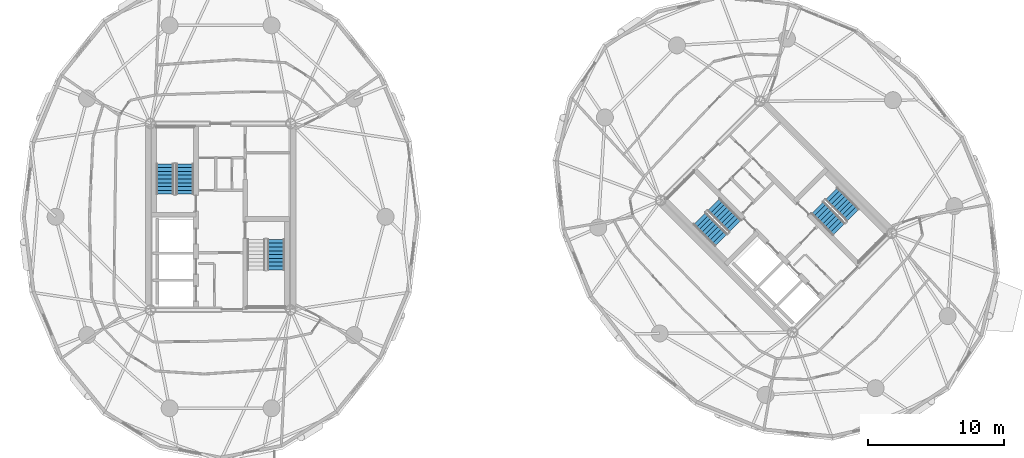
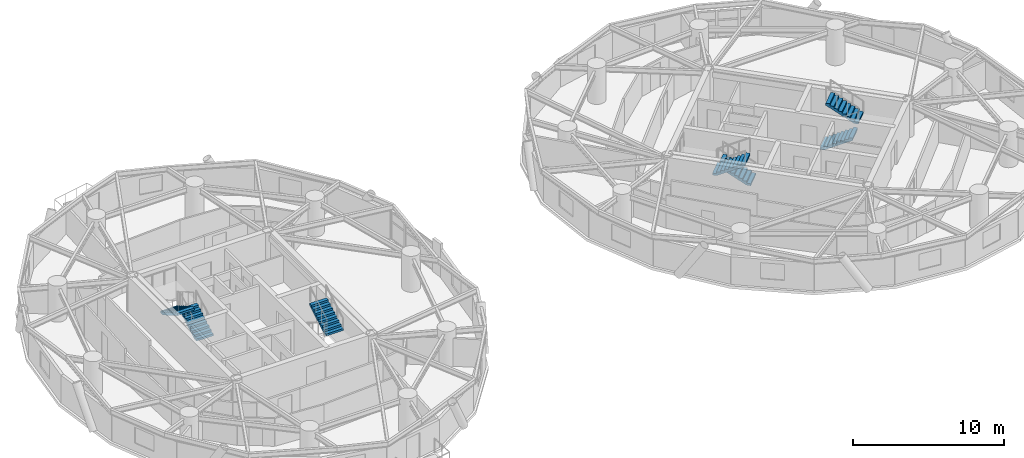
# One storey, part 14 of 17: 7 stair flights, 4 elements without a shape of their own.
"""IFC4 building model written with IfcOpenShell, lengths in metres."""

from ifc_helpers import new_model, si_unit, direction, frame, origin, place, context, subcontext, project, spatial, polyline, outline, extrude, material, type_object, element, aggregate, save


model = new_model("IFC4")

# Units and contexts
model_context = context("Model", 3, precision=1e-05, world=origin(), true_north=direction((0.0, 1.0)))
body_context = subcontext(model_context, "Body", "Model", "MODEL_VIEW")
ifc_project = project(units=[si_unit("LENGTHUNIT", "METRE"), si_unit("AREAUNIT", "SQUARE_METRE"), si_unit("VOLUMEUNIT", "CUBIC_METRE"), si_unit("PLANEANGLEUNIT", "RADIAN"), si_unit("MASSUNIT", "GRAM", prefix="KILO")], contexts=[model_context])

# Site, building, storey
site_placement = place(None, origin())
site = spatial("IfcSite", under=ifc_project, at=site_placement, CompositionType="ELEMENT")
building_placement = place(site_placement, origin())
building = spatial("IfcBuilding", under=site, at=building_placement, Name="Cununo Teusaquillo Station Towers", CompositionType="ELEMENT")
storey_placement = place(building_placement, frame((0.0, 0.0, 163.239990234375)))
storey = spatial("IfcBuildingStorey", under=building, at=storey_placement, Name="L51", CompositionType="ELEMENT", Elevation=163.239990234375)

# Stair, stair flights
ifc_material_1 = material(Name="Concrete C50/60", Category="concrete")
stair_type = type_object("IfcStairType", Name="ST-TWR-1300", PredefinedType="HALF_TURN_STAIR", material=ifc_material_1)
stair_1_placement = place(storey_placement, origin())
stair_1 = element("IfcStair", 1, at=stair_1_placement, inside=storey, type_object=stair_type, Name="L51 Tower A Protected Core Exit Stair 1", PredefinedType="HALF_TURN_STAIR")
ifc_material_2 = material(Name="Concrete C50/60", Category="concrete")
stair_flight_type = type_object("IfcStairFlightType", Name="SFL-TWR-1300", PredefinedType="STRAIGHT", material=ifc_material_2)
stair_flight_1_placement = place(storey_placement, frame((13.8701171875, 26.169921875, 0.0), z_axis=(0.0, 0.0, 1.0), x_axis=(0.0, 1.0, 0.0)))
stair_flight_1 = element("IfcStairFlight", 2, at=stair_flight_1_placement, type_object=stair_flight_type, Name="ST-T1-1 flight 1", NumberOfRisers=9, NumberOfTreads=8, PredefinedType="STRAIGHT", RiserHeight=0.161666667, TreadLength=0.28, context=body_context, shape_type="SweptSolid", body=[
    extrude(outline(polyline([(0.0, 0.0), (0.0, 0.16162109375), (0.280029296875, 0.16162109375), (0.280029296875, 0.3232421875), (0.56005859375, 0.3232421875), (0.56005859375, 0.485107421875), (0.840087890625, 0.485107421875), (0.840087890625, 0.646728515625), (1.1201171875, 0.646728515625), (1.1201171875, 0.808349609375), (1.39990234375, 0.808349609375), (1.39990234375, 0.969970703125), (1.679931640625, 0.969970703125), (1.679931640625, 1.131591796875), (1.9599609375, 1.131591796875), (1.9599609375, 1.293212890625), (2.239990234375, 1.293212890625), (2.239990234375, 1.455078125), (2.239990234375, 1.1201171875), (0.2998046875, 0.0), (0.0, 0.0)])), frame((0.0, 0.64990234375, 0.0), z_axis=(0.0, -1.0, 0.0), x_axis=(1.0, 0.0, 0.0)), (0.0, 0.0, 1.0), 1.300048828125),
])
stair_flight_2_placement = place(storey_placement, frame((12.409912109375, 28.409912109375, 1.455078125), z_axis=(0.0, 0.0, 1.0), x_axis=(0.0, -1.0, 0.0)))
stair_flight_2 = element("IfcStairFlight", 3, at=stair_flight_2_placement, type_object=stair_flight_type, Name="ST-T1-1 flight 2", NumberOfRisers=9, NumberOfTreads=8, PredefinedType="STRAIGHT", RiserHeight=0.161666667, TreadLength=0.28, context=body_context, shape_type="SweptSolid", body=[
    extrude(outline(polyline([(0.0, 0.0), (0.0, 0.16162109375), (0.280029296875, 0.16162109375), (0.280029296875, 0.3232421875), (0.56005859375, 0.3232421875), (0.56005859375, 0.485107421875), (0.840087890625, 0.485107421875), (0.840087890625, 0.646728515625), (1.1201171875, 0.646728515625), (1.1201171875, 0.808349609375), (1.39990234375, 0.808349609375), (1.39990234375, 0.969970703125), (1.679931640625, 0.969970703125), (1.679931640625, 1.131591796875), (1.9599609375, 1.131591796875), (1.9599609375, 1.293212890625), (2.239990234375, 1.293212890625), (2.239990234375, 1.455078125), (2.239990234375, 1.1201171875), (0.2998046875, 0.0), (0.0, 0.0)])), frame((0.0, 0.64990234375, 0.0), z_axis=(0.0, -1.0, 0.0), x_axis=(1.0, 0.0, 0.0)), (0.0, 0.0, 1.0), 1.300048828125),
])
aggregate(stair_1, [stair_flight_1, stair_flight_2])

# Stair, stair flight
stair_2_placement = place(storey_placement, origin())
stair_2 = element("IfcStair", 4, at=stair_2_placement, inside=storey, type_object=stair_type, Name="L51 Tower A Protected Core Exit Stair 2", PredefinedType="HALF_TURN_STAIR")
stair_flight_3_placement = place(storey_placement, frame((20.590087890625, 20.590087890625, 1.455078125), z_axis=(0.0, 0.0, 1.0), x_axis=(0.0, 1.0, 0.0)))
stair_flight_3 = element("IfcStairFlight", 5, at=stair_flight_3_placement, type_object=stair_flight_type, Name="ST-T1-2 flight 2", NumberOfRisers=9, NumberOfTreads=8, PredefinedType="STRAIGHT", RiserHeight=0.161666667, TreadLength=0.28, context=body_context, shape_type="SweptSolid", body=[
    extrude(outline(polyline([(0.0, 0.0), (0.0, 0.16162109375), (0.280029296875, 0.16162109375), (0.280029296875, 0.3232421875), (0.56005859375, 0.3232421875), (0.56005859375, 0.485107421875), (0.840087890625, 0.485107421875), (0.840087890625, 0.646728515625), (1.1201171875, 0.646728515625), (1.1201171875, 0.808349609375), (1.39990234375, 0.808349609375), (1.39990234375, 0.969970703125), (1.679931640625, 0.969970703125), (1.679931640625, 1.131591796875), (1.9599609375, 1.131591796875), (1.9599609375, 1.293212890625), (2.239990234375, 1.293212890625), (2.239990234375, 1.455078125), (2.239990234375, 1.1201171875), (0.2998046875, 0.0), (0.0, 0.0)])), frame((0.0, 0.64990234375, 0.0), z_axis=(0.0, -1.0, 0.0), x_axis=(1.0, 0.0, 0.0)), (0.0, 0.0, 1.0), 1.300048828125),
])
aggregate(stair_2, [stair_flight_3])

# Stair, stair flights
stair_3_placement = place(storey_placement, origin())
stair_3 = element("IfcStair", 6, at=stair_3_placement, inside=storey, type_object=stair_type, Name="L51 Tower B Protected Core Exit Stair 1", PredefinedType="HALF_TURN_STAIR")
stair_flight_4_placement = place(storey_placement, frame((54.45947265625, 23.8212890625, 0.0), z_axis=(0.0, 0.0, 1.0), x_axis=(-0.707106781187, 0.707106781187, 0.0)))
stair_flight_4 = element("IfcStairFlight", 7, at=stair_flight_4_placement, type_object=stair_flight_type, Name="ST-T2-1 flight 1", NumberOfRisers=9, NumberOfTreads=8, PredefinedType="STRAIGHT", RiserHeight=0.161666667, TreadLength=0.28, context=body_context, shape_type="SweptSolid", body=[
    extrude(outline(polyline([(0.0, 0.0), (0.0, 0.16162109375), (0.280029296875, 0.16162109375), (0.280029296875, 0.3232421875), (0.56005859375, 0.3232421875), (0.56005859375, 0.485107421875), (0.840087890625, 0.485107421875), (0.840087890625, 0.646728515625), (1.1201171875, 0.646728515625), (1.1201171875, 0.808349609375), (1.39990234375, 0.808349609375), (1.39990234375, 0.969970703125), (1.679931640625, 0.969970703125), (1.679931640625, 1.131591796875), (1.9599609375, 1.131591796875), (1.9599609375, 1.293212890625), (2.239990234375, 1.293212890625), (2.239990234375, 1.455078125), (2.239990234375, 1.1201171875), (0.2998046875, 0.0), (0.0, 0.0)])), frame((0.0, 0.64990234375, 0.0), z_axis=(0.0, -1.0, 0.0), x_axis=(1.0, 0.0, 0.0)), (0.0, 0.0, 1.0), 1.300048828125),
])
stair_flight_5_placement = place(storey_placement, frame((51.84326171875, 24.372802734375, 1.455078125), z_axis=(0.0, 0.0, 1.0), x_axis=(0.707106781187, -0.707106781187, 0.0)))
stair_flight_5 = element("IfcStairFlight", 8, at=stair_flight_5_placement, type_object=stair_flight_type, Name="ST-T2-1 flight 2", NumberOfRisers=9, NumberOfTreads=8, PredefinedType="STRAIGHT", RiserHeight=0.161666667, TreadLength=0.28, context=body_context, shape_type="SweptSolid", body=[
    extrude(outline(polyline([(0.0, 0.0), (0.0, 0.16162109375), (0.280029296875, 0.16162109375), (0.280029296875, 0.3232421875), (0.56005859375, 0.3232421875), (0.56005859375, 0.485107421875), (0.840087890625, 0.485107421875), (0.840087890625, 0.646728515625), (1.1201171875, 0.646728515625), (1.1201171875, 0.808349609375), (1.39990234375, 0.808349609375), (1.39990234375, 0.969970703125), (1.679931640625, 0.969970703125), (1.679931640625, 1.131591796875), (1.9599609375, 1.131591796875), (1.9599609375, 1.293212890625), (2.239990234375, 1.293212890625), (2.239990234375, 1.455078125), (2.239990234375, 1.1201171875), (0.2998046875, 0.0), (0.0, 0.0)])), frame((0.0, 0.64990234375, 0.0), z_axis=(0.0, -1.0, 0.0), x_axis=(1.0, 0.0, 0.0)), (0.0, 0.0, 1.0), 1.300048828125),
])
aggregate(stair_3, [stair_flight_4, stair_flight_5])

stair_4_placement = place(storey_placement, origin())
stair_4 = element("IfcStair", 9, at=stair_4_placement, inside=storey, type_object=stair_type, Name="L51 Tower B Protected Core Exit Stair 2", PredefinedType="HALF_TURN_STAIR")
stair_flight_6_placement = place(storey_placement, frame((60.54052734375, 25.1787109375, 0.0), z_axis=(0.0, 0.0, 1.0), x_axis=(0.707106781187, -0.707106781187, 0.0)))
stair_flight_6 = element("IfcStairFlight", 10, at=stair_flight_6_placement, type_object=stair_flight_type, Name="ST-T2-2 flight 1", NumberOfRisers=9, NumberOfTreads=8, PredefinedType="STRAIGHT", RiserHeight=0.161666667, TreadLength=0.28, context=body_context, shape_type="SweptSolid", body=[
    extrude(outline(polyline([(0.0, 0.0), (0.0, 0.16162109375), (0.280029296875, 0.16162109375), (0.280029296875, 0.3232421875), (0.56005859375, 0.3232421875), (0.56005859375, 0.485107421875), (0.840087890625, 0.485107421875), (0.840087890625, 0.646728515625), (1.1201171875, 0.646728515625), (1.1201171875, 0.808349609375), (1.39990234375, 0.808349609375), (1.39990234375, 0.969970703125), (1.679931640625, 0.969970703125), (1.679931640625, 1.131591796875), (1.9599609375, 1.131591796875), (1.9599609375, 1.293212890625), (2.239990234375, 1.293212890625), (2.239990234375, 1.455078125), (2.239990234375, 1.1201171875), (0.2998046875, 0.0), (0.0, 0.0)])), frame((0.0, 0.64990234375, 0.0), z_axis=(0.0, -1.0, 0.0), x_axis=(1.0, 0.0, 0.0)), (0.0, 0.0, 1.0), 1.300048828125),
])
stair_flight_7_placement = place(storey_placement, frame((63.15673828125, 24.627197265625, 1.455078125), z_axis=(0.0, 0.0, 1.0), x_axis=(-0.707106781187, 0.707106781187, 0.0)))
stair_flight_7 = element("IfcStairFlight", 11, at=stair_flight_7_placement, type_object=stair_flight_type, Name="ST-T2-2 flight 2", NumberOfRisers=9, NumberOfTreads=8, PredefinedType="STRAIGHT", RiserHeight=0.161666667, TreadLength=0.28, context=body_context, shape_type="SweptSolid", body=[
    extrude(outline(polyline([(0.0, 0.0), (0.0, 0.16162109375), (0.280029296875, 0.16162109375), (0.280029296875, 0.3232421875), (0.56005859375, 0.3232421875), (0.56005859375, 0.485107421875), (0.840087890625, 0.485107421875), (0.840087890625, 0.646728515625), (1.1201171875, 0.646728515625), (1.1201171875, 0.808349609375), (1.39990234375, 0.808349609375), (1.39990234375, 0.969970703125), (1.679931640625, 0.969970703125), (1.679931640625, 1.131591796875), (1.9599609375, 1.131591796875), (1.9599609375, 1.293212890625), (2.239990234375, 1.293212890625), (2.239990234375, 1.455078125), (2.239990234375, 1.1201171875), (0.2998046875, 0.0), (0.0, 0.0)])), frame((0.0, 0.64990234375, 0.0), z_axis=(0.0, -1.0, 0.0), x_axis=(1.0, 0.0, 0.0)), (0.0, 0.0, 1.0), 1.300048828125),
])
aggregate(stair_4, [stair_flight_6, stair_flight_7])

save(model, "model.ifc")
